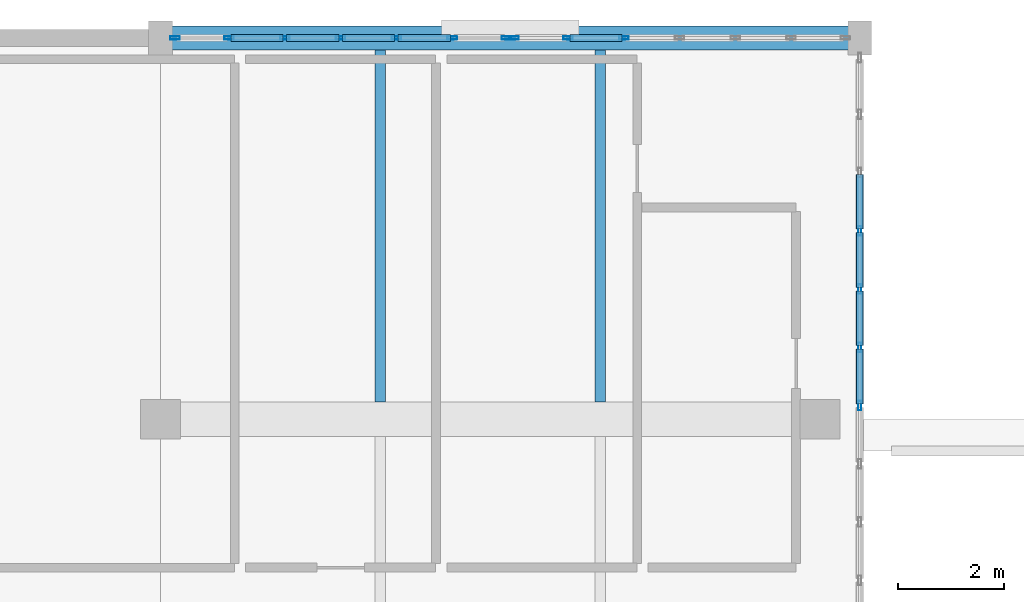
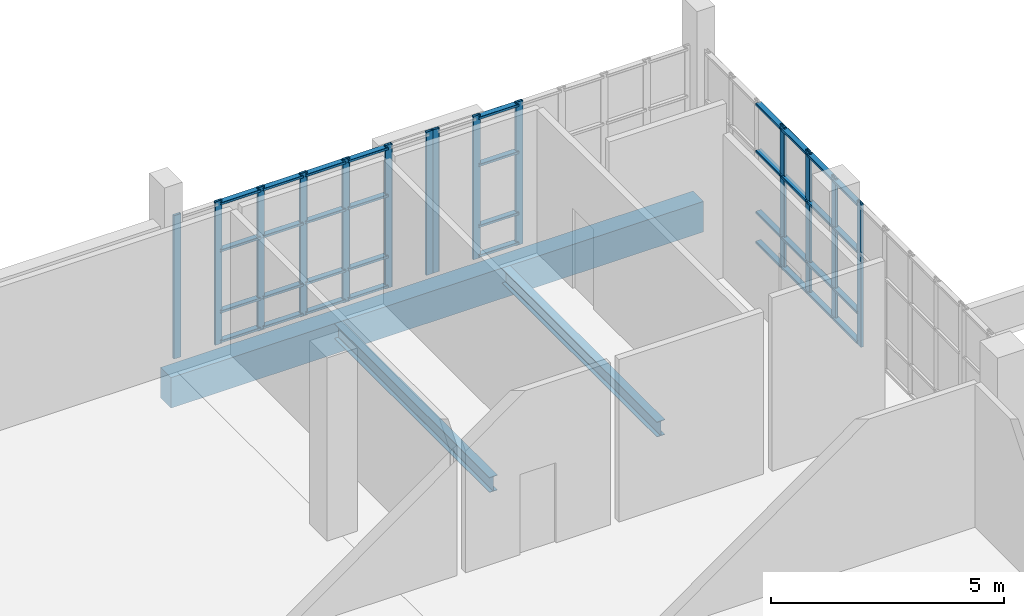
# One storey, part 61 of 106: 50 members, 3 beams, 3 elements without a shape of their own.
"""IFC4 building model written with IfcOpenShell, lengths in metres."""

from ifc_helpers import new_model, si_unit, direction, frame, origin, origin_2d, place, context, subcontext, project, spatial, rectangle, hollow_rectangle, i_section, extrude, material, layer, layer_set, material_profile, profile_set, type_object, element, aggregate, save


model = new_model("IFC4")

# Units and contexts
model_context = context("Model", 3, precision=1e-05, world=origin(), true_north=direction((0.0, 1.0)))
body_context = subcontext(model_context, "Body", "Model", "MODEL_VIEW")
ifc_project = project(units=[si_unit("LENGTHUNIT", "METRE"), si_unit("AREAUNIT", "SQUARE_METRE"), si_unit("VOLUMEUNIT", "CUBIC_METRE"), si_unit("PLANEANGLEUNIT", "RADIAN"), si_unit("MASSUNIT", "GRAM", prefix="KILO")], contexts=[model_context])

# Site, building, storey
site_placement = place(None, origin())
site = spatial("IfcSite", under=ifc_project, at=site_placement, CompositionType="ELEMENT")
building_placement = place(site_placement, origin())
building = spatial("IfcBuilding", under=site, at=building_placement, Name="Kisaragi Civic Commons", CompositionType="ELEMENT")
storey_placement = place(building_placement, frame((0.0, 0.0, 4.800048828125)))
storey = spatial("IfcBuildingStorey", under=building, at=storey_placement, Name="L01", CompositionType="ELEMENT", Elevation=4.800048828125)

# Curtain wall, members
ifc_material_1 = material(Name="Thermally broken anodized aluminium and low-E double glazing", Category="aluminium")
ifc_layer = layer(ifc_material_1, 0.179931640625, Name="Thermally broken anodized aluminium and low-E double glazing", Category="aluminium")
ifc_layer_set = layer_set([ifc_layer], Name="Thermally broken anodized aluminium and low-E double glazing")
curtain_wall_type = type_object("IfcCurtainWallType", Name="CW-01", PredefinedType="NOTDEFINED", material=ifc_layer_set)
curtain_wall_1_placement = place(storey_placement, origin())
curtain_wall_1 = element("IfcCurtainWall", 1, at=curtain_wall_1_placement, inside=storey, type_object=curtain_wall_type, Name="L01 curtain wall CW-01 CW-V4-L01-069", PredefinedType="NOTDEFINED")
ifc_material_profile_1 = material_profile(ifc_material_1, hollow_rectangle(XDim=0.06494140625, YDim=0.179931640625, WallThickness=0.00439453125, InnerFilletRadius=0.00439453125, OuterFilletRadius=0.009033203125, at=origin_2d()), Name="CWM-65x180x4.5", Category="aluminium")
ifc_profile_set_1 = profile_set([ifc_material_profile_1], Name="Thermally broken anodized aluminium and low-E double glazing")
member_type_1 = type_object("IfcMemberType", Name="CWM-02", PredefinedType="MULLION", material=ifc_profile_set_1)
member_1_placement = place(storey_placement, frame((146.672607421875, 118.800048828125, 0.0), z_axis=(0.0, 0.0, 1.0), x_axis=(0.0, 1.0, 0.0)))
member_1 = element("IfcMember", 2, at=member_1_placement, type_object=member_type_1, Name="CW-01 mullion 1", PredefinedType="MULLION", context=body_context, shape_type="SweptSolid", body=[
    extrude(hollow_rectangle(XDim=0.06494140625, YDim=0.179931640625, WallThickness=0.00439453125, InnerFilletRadius=0.00439453125, OuterFilletRadius=0.009033203125, at=origin_2d()), origin(), (0.0, 0.0, 1.0), 3.7548828125),
])
member_2_placement = place(storey_placement, frame((147.693359375, 118.800048828125, 0.0), z_axis=(0.0, 0.0, 1.0), x_axis=(0.0, 1.0, 0.0)))
member_2 = element("IfcMember", 3, at=member_2_placement, type_object=member_type_1, Name="CW-01 mullion 2", PredefinedType="MULLION", context=body_context, shape_type="SweptSolid", body=[
    extrude(hollow_rectangle(XDim=0.06494140625, YDim=0.179931640625, WallThickness=0.00439453125, InnerFilletRadius=0.00439453125, OuterFilletRadius=0.009033203125, at=origin_2d()), origin(), (0.0, 0.0, 1.0), 3.7548828125),
])
member_3_placement = place(storey_placement, frame((148.74658203125, 118.800048828125, 0.0), z_axis=(0.0, 0.0, 1.0), x_axis=(0.0, 1.0, 0.0)))
member_3 = element("IfcMember", 4, at=member_3_placement, type_object=member_type_1, Name="CW-01 mullion 3", PredefinedType="MULLION", context=body_context, shape_type="SweptSolid", body=[
    extrude(hollow_rectangle(XDim=0.06494140625, YDim=0.179931640625, WallThickness=0.00439453125, InnerFilletRadius=0.00439453125, OuterFilletRadius=0.009033203125, at=origin_2d()), origin(), (0.0, 0.0, 1.0), 3.7548828125),
])
member_4_placement = place(storey_placement, frame((149.800048828125, 118.800048828125, 0.0), z_axis=(0.0, 0.0, 1.0), x_axis=(0.0, 1.0, 0.0)))
member_4 = element("IfcMember", 5, at=member_4_placement, type_object=member_type_1, Name="CW-01 mullion 4", PredefinedType="MULLION", context=body_context, shape_type="SweptSolid", body=[
    extrude(hollow_rectangle(XDim=0.06494140625, YDim=0.179931640625, WallThickness=0.00439453125, InnerFilletRadius=0.00439453125, OuterFilletRadius=0.009033203125, at=origin_2d()), origin(), (0.0, 0.0, 1.0), 3.7548828125),
])
member_5_placement = place(storey_placement, frame((150.853271484375, 118.800048828125, 0.0), z_axis=(0.0, 0.0, 1.0), x_axis=(0.0, 1.0, 0.0)))
member_5 = element("IfcMember", 6, at=member_5_placement, type_object=member_type_1, Name="CW-01 mullion 5", PredefinedType="MULLION", context=body_context, shape_type="SweptSolid", body=[
    extrude(hollow_rectangle(XDim=0.06494140625, YDim=0.179931640625, WallThickness=0.00439453125, InnerFilletRadius=0.00439453125, OuterFilletRadius=0.009033203125, at=origin_2d()), origin(), (0.0, 0.0, 1.0), 3.7548828125),
])
member_6_placement = place(storey_placement, frame((151.90673828125, 118.800048828125, 0.0), z_axis=(0.0, 0.0, 1.0), x_axis=(0.0, 1.0, 0.0)))
member_6 = element("IfcMember", 7, at=member_6_placement, type_object=member_type_1, Name="CW-01 mullion 6", PredefinedType="MULLION", context=body_context, shape_type="SweptSolid", body=[
    extrude(hollow_rectangle(XDim=0.06494140625, YDim=0.179931640625, WallThickness=0.00439453125, InnerFilletRadius=0.00439453125, OuterFilletRadius=0.009033203125, at=origin_2d()), origin(), (0.0, 0.0, 1.0), 3.7548828125),
])
member_7_placement = place(storey_placement, frame((152.927490234375, 118.800048828125, 0.0), z_axis=(0.0, 0.0, 1.0), x_axis=(0.0, 1.0, 0.0)))
member_7 = element("IfcMember", 8, at=member_7_placement, type_object=member_type_1, Name="CW-01 mullion 7", PredefinedType="MULLION", context=body_context, shape_type="SweptSolid", body=[
    extrude(hollow_rectangle(XDim=0.06494140625, YDim=0.179931640625, WallThickness=0.00439453125, InnerFilletRadius=0.00439453125, OuterFilletRadius=0.009033203125, at=origin_2d()), origin(), (0.0, 0.0, 1.0), 3.7548828125),
])

curtain_wall_2_placement = place(storey_placement, origin())
curtain_wall_2 = element("IfcCurtainWall", 9, at=curtain_wall_2_placement, inside=storey, type_object=curtain_wall_type, Name="L01 curtain wall CW-01 CW-V4-L01-070", PredefinedType="NOTDEFINED")
member_8_placement = place(storey_placement, frame((153.072509765625, 118.800048828125, 0.0), z_axis=(0.0, 0.0, 1.0), x_axis=(0.0, 1.0, 0.0)))
member_8 = element("IfcMember", 10, at=member_8_placement, type_object=member_type_1, Name="CW-01 mullion 1", PredefinedType="MULLION", context=body_context, shape_type="SweptSolid", body=[
    extrude(hollow_rectangle(XDim=0.06494140625, YDim=0.179931640625, WallThickness=0.00439453125, InnerFilletRadius=0.00439453125, OuterFilletRadius=0.009033203125, at=origin_2d()), origin(), (0.0, 0.0, 1.0), 3.7548828125),
])
member_9_placement = place(storey_placement, frame((154.09326171875, 118.800048828125, 0.0), z_axis=(0.0, 0.0, 1.0), x_axis=(0.0, 1.0, 0.0)))
member_9 = element("IfcMember", 11, at=member_9_placement, type_object=member_type_1, Name="CW-01 mullion 2", PredefinedType="MULLION", context=body_context, shape_type="SweptSolid", body=[
    extrude(hollow_rectangle(XDim=0.06494140625, YDim=0.179931640625, WallThickness=0.00439453125, InnerFilletRadius=0.00439453125, OuterFilletRadius=0.009033203125, at=origin_2d()), origin(), (0.0, 0.0, 1.0), 3.7548828125),
])
member_10_placement = place(storey_placement, frame((155.146728515625, 118.800048828125, 0.0), z_axis=(0.0, 0.0, 1.0), x_axis=(0.0, 1.0, 0.0)))
member_10 = element("IfcMember", 12, at=member_10_placement, type_object=member_type_1, Name="CW-01 mullion 3", PredefinedType="MULLION", context=body_context, shape_type="SweptSolid", body=[
    extrude(hollow_rectangle(XDim=0.06494140625, YDim=0.179931640625, WallThickness=0.00439453125, InnerFilletRadius=0.00439453125, OuterFilletRadius=0.009033203125, at=origin_2d()), origin(), (0.0, 0.0, 1.0), 3.7548828125),
])

curtain_wall_3_placement = place(storey_placement, origin())
curtain_wall_3 = element("IfcCurtainWall", 13, at=curtain_wall_3_placement, inside=storey, type_object=curtain_wall_type, Name="L01 curtain wall CW-01 CW-V4-L01-071", PredefinedType="NOTDEFINED")
member_11_placement = place(storey_placement, frame((159.60009765625, 115.159912109375, 0.0), z_axis=(0.0, 0.0, 1.0), x_axis=(1.0, 0.0, 0.0)))
member_11 = element("IfcMember", 14, at=member_11_placement, type_object=member_type_1, Name="CW-01 mullion 4", PredefinedType="MULLION", context=body_context, shape_type="SweptSolid", body=[
    extrude(hollow_rectangle(XDim=0.06494140625, YDim=0.179931640625, WallThickness=0.00439453125, InnerFilletRadius=0.00439453125, OuterFilletRadius=0.009033203125, at=origin_2d()), origin(), (0.0, 0.0, 1.0), 3.7548828125),
])
member_12_placement = place(storey_placement, frame((159.60009765625, 114.06005859375, 0.0), z_axis=(0.0, 0.0, 1.0), x_axis=(1.0, 0.0, 0.0)))
member_12 = element("IfcMember", 15, at=member_12_placement, type_object=member_type_1, Name="CW-01 mullion 5", PredefinedType="MULLION", context=body_context, shape_type="SweptSolid", body=[
    extrude(hollow_rectangle(XDim=0.06494140625, YDim=0.179931640625, WallThickness=0.00439453125, InnerFilletRadius=0.00439453125, OuterFilletRadius=0.009033203125, at=origin_2d()), origin(), (0.0, 0.0, 1.0), 3.7548828125),
])
member_13_placement = place(storey_placement, frame((159.60009765625, 112.9599609375, 0.0), z_axis=(0.0, 0.0, 1.0), x_axis=(1.0, 0.0, 0.0)))
member_13 = element("IfcMember", 16, at=member_13_placement, type_object=member_type_1, Name="CW-01 mullion 6", PredefinedType="MULLION", context=body_context, shape_type="SweptSolid", body=[
    extrude(hollow_rectangle(XDim=0.06494140625, YDim=0.179931640625, WallThickness=0.00439453125, InnerFilletRadius=0.00439453125, OuterFilletRadius=0.009033203125, at=origin_2d()), origin(), (0.0, 0.0, 1.0), 3.7548828125),
])
member_14_placement = place(storey_placement, frame((159.60009765625, 111.860107421875, 0.0), z_axis=(0.0, 0.0, 1.0), x_axis=(1.0, 0.0, 0.0)))
member_14 = element("IfcMember", 17, at=member_14_placement, type_object=member_type_1, Name="CW-01 mullion 7", PredefinedType="MULLION", context=body_context, shape_type="SweptSolid", body=[
    extrude(hollow_rectangle(XDim=0.06494140625, YDim=0.179931640625, WallThickness=0.00439453125, InnerFilletRadius=0.00439453125, OuterFilletRadius=0.009033203125, at=origin_2d()), origin(), (0.0, 0.0, 1.0), 3.7548828125),
])

# Member
ifc_material_profile_2 = material_profile(ifc_material_1, hollow_rectangle(XDim=0.139892578125, YDim=0.06494140625, WallThickness=0.00439453125, InnerFilletRadius=0.00439453125, OuterFilletRadius=0.009033203125, at=origin_2d()), Name="CWT-65x140x4.5", Category="aluminium")
ifc_profile_set_2 = profile_set([ifc_material_profile_2], Name="Thermally broken anodized aluminium and low-E double glazing")
member_type_2 = type_object("IfcMemberType", Name="CWT-02", PredefinedType="USERDEFINED", material=ifc_profile_set_2)
member_15_placement = place(storey_placement, frame((147.725830078125, 118.800048828125, 0.070068359375), z_axis=(1.0, 0.0, 0.0), x_axis=(0.0, 1.0, 0.0)))
member_15 = element("IfcMember", 18, at=member_15_placement, type_object=member_type_2, Name="CW-01 transom 2.1", ObjectType="TRANSOM", PredefinedType="USERDEFINED", context=body_context, shape_type="SweptSolid", body=[
    extrude(hollow_rectangle(XDim=0.139892578125, YDim=0.06494140625, WallThickness=0.00439453125, InnerFilletRadius=0.00439453125, OuterFilletRadius=0.009033203125, at=origin_2d()), origin(), (0.0, 0.0, 1.0), 0.98828125),
])

member_16_placement = place(storey_placement, frame((147.725830078125, 118.800048828125, 0.849853515625), z_axis=(1.0, 0.0, 0.0), x_axis=(0.0, 1.0, 0.0)))
member_16 = element("IfcMember", 19, at=member_16_placement, type_object=member_type_2, Name="CW-01 transom 2.2", ObjectType="TRANSOM", PredefinedType="USERDEFINED", context=body_context, shape_type="SweptSolid", body=[
    extrude(hollow_rectangle(XDim=0.139892578125, YDim=0.06494140625, WallThickness=0.00439453125, InnerFilletRadius=0.00439453125, OuterFilletRadius=0.009033203125, at=origin_2d()), origin(), (0.0, 0.0, 1.0), 0.98828125),
])

member_17_placement = place(storey_placement, frame((147.725830078125, 118.800048828125, 2.449951171875), z_axis=(1.0, 0.0, 0.0), x_axis=(0.0, 1.0, 0.0)))
member_17 = element("IfcMember", 20, at=member_17_placement, type_object=member_type_2, Name="CW-01 transom 2.3", ObjectType="TRANSOM", PredefinedType="USERDEFINED", context=body_context, shape_type="SweptSolid", body=[
    extrude(hollow_rectangle(XDim=0.139892578125, YDim=0.06494140625, WallThickness=0.00439453125, InnerFilletRadius=0.00439453125, OuterFilletRadius=0.009033203125, at=origin_2d()), origin(), (0.0, 0.0, 1.0), 0.98828125),
])

member_18_placement = place(storey_placement, frame((147.725830078125, 118.800048828125, 3.68505859375), z_axis=(1.0, 0.0, 0.0), x_axis=(0.0, 1.0, 0.0)))
member_18 = element("IfcMember", 21, at=member_18_placement, type_object=member_type_2, Name="CW-01 transom 2.4", ObjectType="TRANSOM", PredefinedType="USERDEFINED", context=body_context, shape_type="SweptSolid", body=[
    extrude(hollow_rectangle(XDim=0.139892578125, YDim=0.06494140625, WallThickness=0.00439453125, InnerFilletRadius=0.00439453125, OuterFilletRadius=0.009033203125, at=origin_2d()), origin(), (0.0, 0.0, 1.0), 0.98828125),
])

member_19_placement = place(storey_placement, frame((148.779052734375, 118.800048828125, 0.070068359375), z_axis=(1.0, 0.0, 0.0), x_axis=(0.0, 1.0, 0.0)))
member_19 = element("IfcMember", 22, at=member_19_placement, type_object=member_type_2, Name="CW-01 transom 3.1", ObjectType="TRANSOM", PredefinedType="USERDEFINED", context=body_context, shape_type="SweptSolid", body=[
    extrude(hollow_rectangle(XDim=0.139892578125, YDim=0.06494140625, WallThickness=0.00439453125, InnerFilletRadius=0.00439453125, OuterFilletRadius=0.009033203125, at=origin_2d()), origin(), (0.0, 0.0, 1.0), 0.988525390625),
])

member_20_placement = place(storey_placement, frame((148.779052734375, 118.800048828125, 0.849853515625), z_axis=(1.0, 0.0, 0.0), x_axis=(0.0, 1.0, 0.0)))
member_20 = element("IfcMember", 23, at=member_20_placement, type_object=member_type_2, Name="CW-01 transom 3.2", ObjectType="TRANSOM", PredefinedType="USERDEFINED", context=body_context, shape_type="SweptSolid", body=[
    extrude(hollow_rectangle(XDim=0.139892578125, YDim=0.06494140625, WallThickness=0.00439453125, InnerFilletRadius=0.00439453125, OuterFilletRadius=0.009033203125, at=origin_2d()), origin(), (0.0, 0.0, 1.0), 0.988525390625),
])

member_21_placement = place(storey_placement, frame((148.779052734375, 118.800048828125, 2.449951171875), z_axis=(1.0, 0.0, 0.0), x_axis=(0.0, 1.0, 0.0)))
member_21 = element("IfcMember", 24, at=member_21_placement, type_object=member_type_2, Name="CW-01 transom 3.3", ObjectType="TRANSOM", PredefinedType="USERDEFINED", context=body_context, shape_type="SweptSolid", body=[
    extrude(hollow_rectangle(XDim=0.139892578125, YDim=0.06494140625, WallThickness=0.00439453125, InnerFilletRadius=0.00439453125, OuterFilletRadius=0.009033203125, at=origin_2d()), origin(), (0.0, 0.0, 1.0), 0.988525390625),
])

member_22_placement = place(storey_placement, frame((148.779052734375, 118.800048828125, 3.68505859375), z_axis=(1.0, 0.0, 0.0), x_axis=(0.0, 1.0, 0.0)))
member_22 = element("IfcMember", 25, at=member_22_placement, type_object=member_type_2, Name="CW-01 transom 3.4", ObjectType="TRANSOM", PredefinedType="USERDEFINED", context=body_context, shape_type="SweptSolid", body=[
    extrude(hollow_rectangle(XDim=0.139892578125, YDim=0.06494140625, WallThickness=0.00439453125, InnerFilletRadius=0.00439453125, OuterFilletRadius=0.009033203125, at=origin_2d()), origin(), (0.0, 0.0, 1.0), 0.988525390625),
])

member_23_placement = place(storey_placement, frame((149.83251953125, 118.800048828125, 0.070068359375), z_axis=(1.0, 0.0, 0.0), x_axis=(0.0, 1.0, 0.0)))
member_23 = element("IfcMember", 26, at=member_23_placement, type_object=member_type_2, Name="CW-01 transom 4.1", ObjectType="TRANSOM", PredefinedType="USERDEFINED", context=body_context, shape_type="SweptSolid", body=[
    extrude(hollow_rectangle(XDim=0.139892578125, YDim=0.06494140625, WallThickness=0.00439453125, InnerFilletRadius=0.00439453125, OuterFilletRadius=0.009033203125, at=origin_2d()), origin(), (0.0, 0.0, 1.0), 0.98828125),
])

member_24_placement = place(storey_placement, frame((149.83251953125, 118.800048828125, 0.849853515625), z_axis=(1.0, 0.0, 0.0), x_axis=(0.0, 1.0, 0.0)))
member_24 = element("IfcMember", 27, at=member_24_placement, type_object=member_type_2, Name="CW-01 transom 4.2", ObjectType="TRANSOM", PredefinedType="USERDEFINED", context=body_context, shape_type="SweptSolid", body=[
    extrude(hollow_rectangle(XDim=0.139892578125, YDim=0.06494140625, WallThickness=0.00439453125, InnerFilletRadius=0.00439453125, OuterFilletRadius=0.009033203125, at=origin_2d()), origin(), (0.0, 0.0, 1.0), 0.98828125),
])

member_25_placement = place(storey_placement, frame((149.83251953125, 118.800048828125, 2.449951171875), z_axis=(1.0, 0.0, 0.0), x_axis=(0.0, 1.0, 0.0)))
member_25 = element("IfcMember", 28, at=member_25_placement, type_object=member_type_2, Name="CW-01 transom 4.3", ObjectType="TRANSOM", PredefinedType="USERDEFINED", context=body_context, shape_type="SweptSolid", body=[
    extrude(hollow_rectangle(XDim=0.139892578125, YDim=0.06494140625, WallThickness=0.00439453125, InnerFilletRadius=0.00439453125, OuterFilletRadius=0.009033203125, at=origin_2d()), origin(), (0.0, 0.0, 1.0), 0.98828125),
])

member_26_placement = place(storey_placement, frame((149.83251953125, 118.800048828125, 3.68505859375), z_axis=(1.0, 0.0, 0.0), x_axis=(0.0, 1.0, 0.0)))
member_26 = element("IfcMember", 29, at=member_26_placement, type_object=member_type_2, Name="CW-01 transom 4.4", ObjectType="TRANSOM", PredefinedType="USERDEFINED", context=body_context, shape_type="SweptSolid", body=[
    extrude(hollow_rectangle(XDim=0.139892578125, YDim=0.06494140625, WallThickness=0.00439453125, InnerFilletRadius=0.00439453125, OuterFilletRadius=0.009033203125, at=origin_2d()), origin(), (0.0, 0.0, 1.0), 0.98828125),
])

member_27_placement = place(storey_placement, frame((150.8857421875, 118.800048828125, 0.070068359375), z_axis=(1.0, 0.0, 0.0), x_axis=(0.0, 1.0, 0.0)))
member_27 = element("IfcMember", 30, at=member_27_placement, type_object=member_type_2, Name="CW-01 transom 5.1", ObjectType="TRANSOM", PredefinedType="USERDEFINED", context=body_context, shape_type="SweptSolid", body=[
    extrude(hollow_rectangle(XDim=0.139892578125, YDim=0.06494140625, WallThickness=0.00439453125, InnerFilletRadius=0.00439453125, OuterFilletRadius=0.009033203125, at=origin_2d()), origin(), (0.0, 0.0, 1.0), 0.988525390625),
])

member_28_placement = place(storey_placement, frame((150.8857421875, 118.800048828125, 0.849853515625), z_axis=(1.0, 0.0, 0.0), x_axis=(0.0, 1.0, 0.0)))
member_28 = element("IfcMember", 31, at=member_28_placement, type_object=member_type_2, Name="CW-01 transom 5.2", ObjectType="TRANSOM", PredefinedType="USERDEFINED", context=body_context, shape_type="SweptSolid", body=[
    extrude(hollow_rectangle(XDim=0.139892578125, YDim=0.06494140625, WallThickness=0.00439453125, InnerFilletRadius=0.00439453125, OuterFilletRadius=0.009033203125, at=origin_2d()), origin(), (0.0, 0.0, 1.0), 0.988525390625),
])

member_29_placement = place(storey_placement, frame((150.8857421875, 118.800048828125, 2.449951171875), z_axis=(1.0, 0.0, 0.0), x_axis=(0.0, 1.0, 0.0)))
member_29 = element("IfcMember", 32, at=member_29_placement, type_object=member_type_2, Name="CW-01 transom 5.3", ObjectType="TRANSOM", PredefinedType="USERDEFINED", context=body_context, shape_type="SweptSolid", body=[
    extrude(hollow_rectangle(XDim=0.139892578125, YDim=0.06494140625, WallThickness=0.00439453125, InnerFilletRadius=0.00439453125, OuterFilletRadius=0.009033203125, at=origin_2d()), origin(), (0.0, 0.0, 1.0), 0.988525390625),
])

member_30_placement = place(storey_placement, frame((150.8857421875, 118.800048828125, 3.68505859375), z_axis=(1.0, 0.0, 0.0), x_axis=(0.0, 1.0, 0.0)))
member_30 = element("IfcMember", 33, at=member_30_placement, type_object=member_type_2, Name="CW-01 transom 5.4", ObjectType="TRANSOM", PredefinedType="USERDEFINED", context=body_context, shape_type="SweptSolid", body=[
    extrude(hollow_rectangle(XDim=0.139892578125, YDim=0.06494140625, WallThickness=0.00439453125, InnerFilletRadius=0.00439453125, OuterFilletRadius=0.009033203125, at=origin_2d()), origin(), (0.0, 0.0, 1.0), 0.988525390625),
])

aggregate(curtain_wall_1, [member_1, member_2, member_3, member_4, member_5, member_6, member_7, member_15, member_16, member_17, member_18, member_19, member_20, member_21, member_22, member_23, member_24, member_25, member_26, member_27, member_28, member_29, member_30])

member_31_placement = place(storey_placement, frame((154.125732421875, 118.800048828125, 0.070068359375), z_axis=(1.0, 0.0, 0.0), x_axis=(0.0, 1.0, 0.0)))
member_31 = element("IfcMember", 34, at=member_31_placement, type_object=member_type_2, Name="CW-01 transom 2.1", ObjectType="TRANSOM", PredefinedType="USERDEFINED", context=body_context, shape_type="SweptSolid", body=[
    extrude(hollow_rectangle(XDim=0.139892578125, YDim=0.06494140625, WallThickness=0.00439453125, InnerFilletRadius=0.00439453125, OuterFilletRadius=0.009033203125, at=origin_2d()), origin(), (0.0, 0.0, 1.0), 0.988525390625),
])

member_32_placement = place(storey_placement, frame((154.125732421875, 118.800048828125, 0.849853515625), z_axis=(1.0, 0.0, 0.0), x_axis=(0.0, 1.0, 0.0)))
member_32 = element("IfcMember", 35, at=member_32_placement, type_object=member_type_2, Name="CW-01 transom 2.2", ObjectType="TRANSOM", PredefinedType="USERDEFINED", context=body_context, shape_type="SweptSolid", body=[
    extrude(hollow_rectangle(XDim=0.139892578125, YDim=0.06494140625, WallThickness=0.00439453125, InnerFilletRadius=0.00439453125, OuterFilletRadius=0.009033203125, at=origin_2d()), origin(), (0.0, 0.0, 1.0), 0.988525390625),
])

member_33_placement = place(storey_placement, frame((154.125732421875, 118.800048828125, 2.449951171875), z_axis=(1.0, 0.0, 0.0), x_axis=(0.0, 1.0, 0.0)))
member_33 = element("IfcMember", 36, at=member_33_placement, type_object=member_type_2, Name="CW-01 transom 2.3", ObjectType="TRANSOM", PredefinedType="USERDEFINED", context=body_context, shape_type="SweptSolid", body=[
    extrude(hollow_rectangle(XDim=0.139892578125, YDim=0.06494140625, WallThickness=0.00439453125, InnerFilletRadius=0.00439453125, OuterFilletRadius=0.009033203125, at=origin_2d()), origin(), (0.0, 0.0, 1.0), 0.988525390625),
])

member_34_placement = place(storey_placement, frame((154.125732421875, 118.800048828125, 3.68505859375), z_axis=(1.0, 0.0, 0.0), x_axis=(0.0, 1.0, 0.0)))
member_34 = element("IfcMember", 37, at=member_34_placement, type_object=member_type_2, Name="CW-01 transom 2.4", ObjectType="TRANSOM", PredefinedType="USERDEFINED", context=body_context, shape_type="SweptSolid", body=[
    extrude(hollow_rectangle(XDim=0.139892578125, YDim=0.06494140625, WallThickness=0.00439453125, InnerFilletRadius=0.00439453125, OuterFilletRadius=0.009033203125, at=origin_2d()), origin(), (0.0, 0.0, 1.0), 0.988525390625),
])

aggregate(curtain_wall_2, [member_8, member_9, member_10, member_31, member_32, member_33, member_34])

member_35_placement = place(storey_placement, frame((159.60009765625, 116.2275390625, 0.070068359375), z_axis=(0.0, -1.0, 0.0), x_axis=(1.0, 0.0, 0.0)))
member_35 = element("IfcMember", 38, at=member_35_placement, type_object=member_type_2, Name="CW-01 transom 3.1", ObjectType="TRANSOM", PredefinedType="USERDEFINED", context=body_context, shape_type="SweptSolid", body=[
    extrude(hollow_rectangle(XDim=0.139892578125, YDim=0.06494140625, WallThickness=0.00439453125, InnerFilletRadius=0.00439453125, OuterFilletRadius=0.009033203125, at=origin_2d()), origin(), (0.0, 0.0, 1.0), 1.03515625),
])

member_36_placement = place(storey_placement, frame((159.60009765625, 116.2275390625, 0.849853515625), z_axis=(0.0, -1.0, 0.0), x_axis=(1.0, 0.0, 0.0)))
member_36 = element("IfcMember", 39, at=member_36_placement, type_object=member_type_2, Name="CW-01 transom 3.2", ObjectType="TRANSOM", PredefinedType="USERDEFINED", context=body_context, shape_type="SweptSolid", body=[
    extrude(hollow_rectangle(XDim=0.139892578125, YDim=0.06494140625, WallThickness=0.00439453125, InnerFilletRadius=0.00439453125, OuterFilletRadius=0.009033203125, at=origin_2d()), origin(), (0.0, 0.0, 1.0), 1.03515625),
])

member_37_placement = place(storey_placement, frame((159.60009765625, 116.2275390625, 2.449951171875), z_axis=(0.0, -1.0, 0.0), x_axis=(1.0, 0.0, 0.0)))
member_37 = element("IfcMember", 40, at=member_37_placement, type_object=member_type_2, Name="CW-01 transom 3.3", ObjectType="TRANSOM", PredefinedType="USERDEFINED", context=body_context, shape_type="SweptSolid", body=[
    extrude(hollow_rectangle(XDim=0.139892578125, YDim=0.06494140625, WallThickness=0.00439453125, InnerFilletRadius=0.00439453125, OuterFilletRadius=0.009033203125, at=origin_2d()), origin(), (0.0, 0.0, 1.0), 1.03515625),
])

member_38_placement = place(storey_placement, frame((159.60009765625, 116.2275390625, 3.68505859375), z_axis=(0.0, -1.0, 0.0), x_axis=(1.0, 0.0, 0.0)))
member_38 = element("IfcMember", 41, at=member_38_placement, type_object=member_type_2, Name="CW-01 transom 3.4", ObjectType="TRANSOM", PredefinedType="USERDEFINED", context=body_context, shape_type="SweptSolid", body=[
    extrude(hollow_rectangle(XDim=0.139892578125, YDim=0.06494140625, WallThickness=0.00439453125, InnerFilletRadius=0.00439453125, OuterFilletRadius=0.009033203125, at=origin_2d()), origin(), (0.0, 0.0, 1.0), 1.03515625),
])

member_39_placement = place(storey_placement, frame((159.60009765625, 115.12744140625, 0.070068359375), z_axis=(0.0, -1.0, 0.0), x_axis=(1.0, 0.0, 0.0)))
member_39 = element("IfcMember", 42, at=member_39_placement, type_object=member_type_2, Name="CW-01 transom 4.1", ObjectType="TRANSOM", PredefinedType="USERDEFINED", context=body_context, shape_type="SweptSolid", body=[
    extrude(hollow_rectangle(XDim=0.139892578125, YDim=0.06494140625, WallThickness=0.00439453125, InnerFilletRadius=0.00439453125, OuterFilletRadius=0.009033203125, at=origin_2d()), origin(), (0.0, 0.0, 1.0), 1.034912109375),
])

member_40_placement = place(storey_placement, frame((159.60009765625, 115.12744140625, 0.849853515625), z_axis=(0.0, -1.0, 0.0), x_axis=(1.0, 0.0, 0.0)))
member_40 = element("IfcMember", 43, at=member_40_placement, type_object=member_type_2, Name="CW-01 transom 4.2", ObjectType="TRANSOM", PredefinedType="USERDEFINED", context=body_context, shape_type="SweptSolid", body=[
    extrude(hollow_rectangle(XDim=0.139892578125, YDim=0.06494140625, WallThickness=0.00439453125, InnerFilletRadius=0.00439453125, OuterFilletRadius=0.009033203125, at=origin_2d()), origin(), (0.0, 0.0, 1.0), 1.034912109375),
])

member_41_placement = place(storey_placement, frame((159.60009765625, 115.12744140625, 2.449951171875), z_axis=(0.0, -1.0, 0.0), x_axis=(1.0, 0.0, 0.0)))
member_41 = element("IfcMember", 44, at=member_41_placement, type_object=member_type_2, Name="CW-01 transom 4.3", ObjectType="TRANSOM", PredefinedType="USERDEFINED", context=body_context, shape_type="SweptSolid", body=[
    extrude(hollow_rectangle(XDim=0.139892578125, YDim=0.06494140625, WallThickness=0.00439453125, InnerFilletRadius=0.00439453125, OuterFilletRadius=0.009033203125, at=origin_2d()), origin(), (0.0, 0.0, 1.0), 1.034912109375),
])

member_42_placement = place(storey_placement, frame((159.60009765625, 115.12744140625, 3.68505859375), z_axis=(0.0, -1.0, 0.0), x_axis=(1.0, 0.0, 0.0)))
member_42 = element("IfcMember", 45, at=member_42_placement, type_object=member_type_2, Name="CW-01 transom 4.4", ObjectType="TRANSOM", PredefinedType="USERDEFINED", context=body_context, shape_type="SweptSolid", body=[
    extrude(hollow_rectangle(XDim=0.139892578125, YDim=0.06494140625, WallThickness=0.00439453125, InnerFilletRadius=0.00439453125, OuterFilletRadius=0.009033203125, at=origin_2d()), origin(), (0.0, 0.0, 1.0), 1.034912109375),
])

member_43_placement = place(storey_placement, frame((159.60009765625, 114.027587890625, 0.070068359375), z_axis=(0.0, -1.0, 0.0), x_axis=(1.0, 0.0, 0.0)))
member_43 = element("IfcMember", 46, at=member_43_placement, type_object=member_type_2, Name="CW-01 transom 5.1", ObjectType="TRANSOM", PredefinedType="USERDEFINED", context=body_context, shape_type="SweptSolid", body=[
    extrude(hollow_rectangle(XDim=0.139892578125, YDim=0.06494140625, WallThickness=0.00439453125, InnerFilletRadius=0.00439453125, OuterFilletRadius=0.009033203125, at=origin_2d()), origin(), (0.0, 0.0, 1.0), 1.03515625),
])

member_44_placement = place(storey_placement, frame((159.60009765625, 114.027587890625, 0.849853515625), z_axis=(0.0, -1.0, 0.0), x_axis=(1.0, 0.0, 0.0)))
member_44 = element("IfcMember", 47, at=member_44_placement, type_object=member_type_2, Name="CW-01 transom 5.2", ObjectType="TRANSOM", PredefinedType="USERDEFINED", context=body_context, shape_type="SweptSolid", body=[
    extrude(hollow_rectangle(XDim=0.139892578125, YDim=0.06494140625, WallThickness=0.00439453125, InnerFilletRadius=0.00439453125, OuterFilletRadius=0.009033203125, at=origin_2d()), origin(), (0.0, 0.0, 1.0), 1.03515625),
])

member_45_placement = place(storey_placement, frame((159.60009765625, 114.027587890625, 2.449951171875), z_axis=(0.0, -1.0, 0.0), x_axis=(1.0, 0.0, 0.0)))
member_45 = element("IfcMember", 48, at=member_45_placement, type_object=member_type_2, Name="CW-01 transom 5.3", ObjectType="TRANSOM", PredefinedType="USERDEFINED", context=body_context, shape_type="SweptSolid", body=[
    extrude(hollow_rectangle(XDim=0.139892578125, YDim=0.06494140625, WallThickness=0.00439453125, InnerFilletRadius=0.00439453125, OuterFilletRadius=0.009033203125, at=origin_2d()), origin(), (0.0, 0.0, 1.0), 1.03515625),
])

member_46_placement = place(storey_placement, frame((159.60009765625, 114.027587890625, 3.68505859375), z_axis=(0.0, -1.0, 0.0), x_axis=(1.0, 0.0, 0.0)))
member_46 = element("IfcMember", 49, at=member_46_placement, type_object=member_type_2, Name="CW-01 transom 5.4", ObjectType="TRANSOM", PredefinedType="USERDEFINED", context=body_context, shape_type="SweptSolid", body=[
    extrude(hollow_rectangle(XDim=0.139892578125, YDim=0.06494140625, WallThickness=0.00439453125, InnerFilletRadius=0.00439453125, OuterFilletRadius=0.009033203125, at=origin_2d()), origin(), (0.0, 0.0, 1.0), 1.03515625),
])

member_47_placement = place(storey_placement, frame((159.60009765625, 112.927490234375, 0.070068359375), z_axis=(0.0, -1.0, 0.0), x_axis=(1.0, 0.0, 0.0)))
member_47 = element("IfcMember", 50, at=member_47_placement, type_object=member_type_2, Name="CW-01 transom 6.1", ObjectType="TRANSOM", PredefinedType="USERDEFINED", context=body_context, shape_type="SweptSolid", body=[
    extrude(hollow_rectangle(XDim=0.139892578125, YDim=0.06494140625, WallThickness=0.00439453125, InnerFilletRadius=0.00439453125, OuterFilletRadius=0.009033203125, at=origin_2d()), origin(), (0.0, 0.0, 1.0), 1.034912109375),
])

member_48_placement = place(storey_placement, frame((159.60009765625, 112.927490234375, 0.849853515625), z_axis=(0.0, -1.0, 0.0), x_axis=(1.0, 0.0, 0.0)))
member_48 = element("IfcMember", 51, at=member_48_placement, type_object=member_type_2, Name="CW-01 transom 6.2", ObjectType="TRANSOM", PredefinedType="USERDEFINED", context=body_context, shape_type="SweptSolid", body=[
    extrude(hollow_rectangle(XDim=0.139892578125, YDim=0.06494140625, WallThickness=0.00439453125, InnerFilletRadius=0.00439453125, OuterFilletRadius=0.009033203125, at=origin_2d()), origin(), (0.0, 0.0, 1.0), 1.034912109375),
])

member_49_placement = place(storey_placement, frame((159.60009765625, 112.927490234375, 2.449951171875), z_axis=(0.0, -1.0, 0.0), x_axis=(1.0, 0.0, 0.0)))
member_49 = element("IfcMember", 52, at=member_49_placement, type_object=member_type_2, Name="CW-01 transom 6.3", ObjectType="TRANSOM", PredefinedType="USERDEFINED", context=body_context, shape_type="SweptSolid", body=[
    extrude(hollow_rectangle(XDim=0.139892578125, YDim=0.06494140625, WallThickness=0.00439453125, InnerFilletRadius=0.00439453125, OuterFilletRadius=0.009033203125, at=origin_2d()), origin(), (0.0, 0.0, 1.0), 1.034912109375),
])

member_50_placement = place(storey_placement, frame((159.60009765625, 112.927490234375, 3.68505859375), z_axis=(0.0, -1.0, 0.0), x_axis=(1.0, 0.0, 0.0)))
member_50 = element("IfcMember", 53, at=member_50_placement, type_object=member_type_2, Name="CW-01 transom 6.4", ObjectType="TRANSOM", PredefinedType="USERDEFINED", context=body_context, shape_type="SweptSolid", body=[
    extrude(hollow_rectangle(XDim=0.139892578125, YDim=0.06494140625, WallThickness=0.00439453125, InnerFilletRadius=0.00439453125, OuterFilletRadius=0.009033203125, at=origin_2d()), origin(), (0.0, 0.0, 1.0), 1.034912109375),
])

aggregate(curtain_wall_3, [member_11, member_12, member_13, member_14, member_35, member_36, member_37, member_38, member_39, member_40, member_41, member_42, member_43, member_44, member_45, member_46, member_47, member_48, member_49, member_50])

# Beams
ifc_material_2 = material(Name="Steel SN400 (SN400B)", Category="steel")
ifc_material_profile_3 = material_profile(ifc_material_2, i_section(OverallWidth=0.199951171875, OverallDepth=0.39990234375, WebThickness=0.008056640625, FlangeThickness=0.012939453125, FilletRadius=0.012939453125, at=origin_2d()), Name="H-400x200x8x13", Category="steel")
ifc_profile_set_3 = profile_set([ifc_material_profile_3], Name="Steel SN400 (SN400B)")
beam_type_1 = type_object("IfcBeamType", Name="J-01", PredefinedType="JOIST", material=ifc_profile_set_3)
for number, where, z_axis, x_axis, name in (
    (54, (150.550048828125, 111.925048828125, -0.505126953125), (0.0, 1.0, 0.0), (-1.0, 0.0, 0.0), "L01 secondary steel joist J-01 56"),
    (55, (154.699951171875, 111.925048828125, -0.505126953125), (0.0, 1.0, 0.0), (-1.0, 0.0, 0.0), "L01 secondary steel joist J-01 57"),
):
    element("IfcBeam", number, at=place(storey_placement, frame(where, z_axis=z_axis, x_axis=x_axis)), inside=storey, type_object=beam_type_1, Name=name, PredefinedType="JOIST", context=body_context, shape_type="SweptSolid", body=[
        extrude(i_section(OverallWidth=0.199951171875, OverallDepth=0.39990234375, WebThickness=0.008056640625, FlangeThickness=0.012939453125, FilletRadius=0.012939453125, at=origin_2d()), origin(), (0.0, 0.0, 1.0), 6.64990234375),
    ])
ifc_material_3 = material(Name="Concrete Fc30", Category="concrete")
ifc_material_profile_4 = material_profile(ifc_material_3, rectangle(XDim=0.449951171875, YDim=0.800048828125, at=origin_2d()), Name="RC-450x800", Category="concrete")
ifc_profile_set_4 = profile_set([ifc_material_profile_4], Name="Concrete Fc30")
beam_type_2 = type_object("IfcBeamType", Name="SPB-01", PredefinedType="SPANDREL", material=ifc_profile_set_4)
beam_placement = place(storey_placement, frame((146.39990234375, 118.800048828125, -0.705078125), z_axis=(1.0, 0.0, 0.0), x_axis=(0.0, 1.0, 0.0)))
element("IfcBeam", 56, at=beam_placement, inside=storey, type_object=beam_type_2, Name="L01 girder SPB-01 240", PredefinedType="SPANDREL", context=body_context, shape_type="SweptSolid", body=[
    extrude(rectangle(XDim=0.449951171875, YDim=0.800048828125, at=origin_2d()), origin(), (0.0, 0.0, 1.0), 13.2001953125),
])

save(model, "model.ifc")
